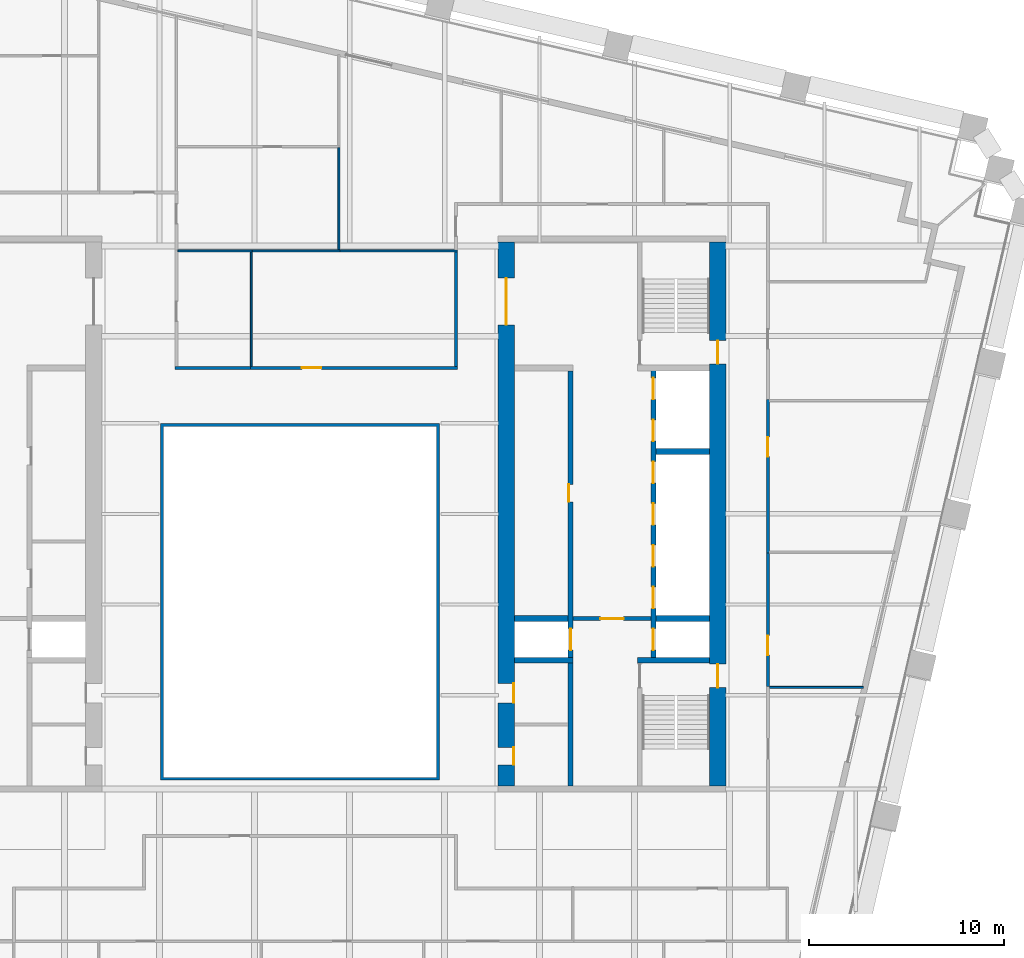
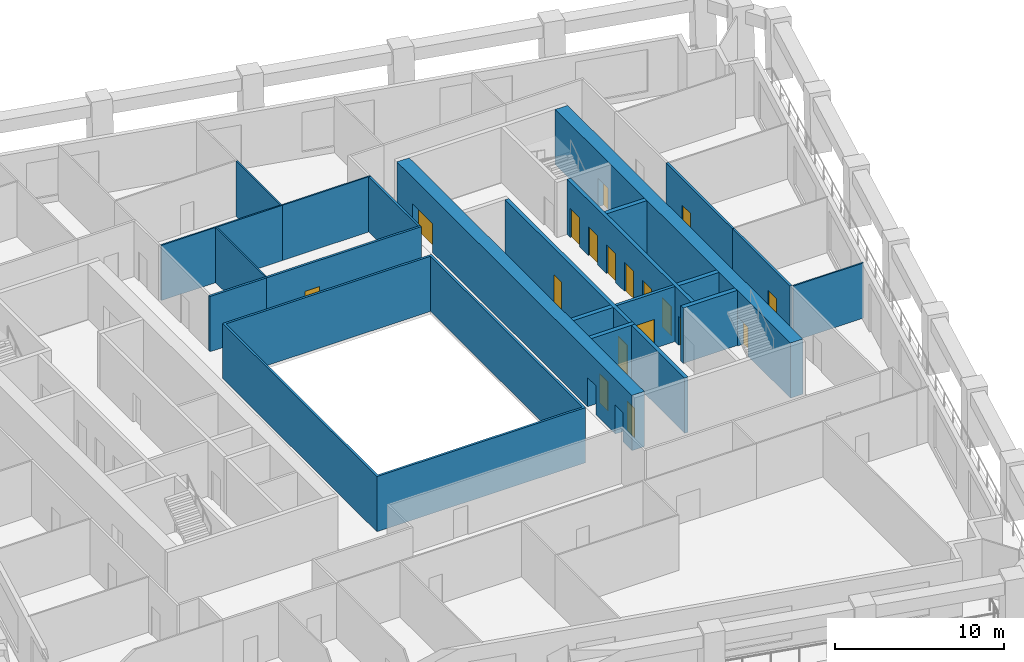
# One storey, part 7 of 11: 22 walls, 18 doors, 18 openings.
"""IFC4 building model written with IfcOpenShell, lengths in metres."""

from ifc_helpers import new_model, si_unit, direction, frame, frame_2d, origin, place, context, subcontext, project, spatial, polyline, rectangle, outline, extrude, material, layer, layer_set, type_object, element, fill, save


model = new_model("IFC4")

# Units and contexts
model_context = context("Model", 3, precision=1e-05, world=origin(), true_north=direction((0.0, 1.0)))
body_context = subcontext(model_context, "Body", "Model", "MODEL_VIEW")
ifc_project = project(units=[si_unit("LENGTHUNIT", "METRE"), si_unit("AREAUNIT", "SQUARE_METRE"), si_unit("VOLUMEUNIT", "CUBIC_METRE"), si_unit("PLANEANGLEUNIT", "RADIAN"), si_unit("MASSUNIT", "GRAM", prefix="KILO")], contexts=[model_context])

# Site, building, storey
site_placement = place(None, origin())
site = spatial("IfcSite", under=ifc_project, at=site_placement, CompositionType="ELEMENT")
building_placement = place(site_placement, origin())
building = spatial("IfcBuilding", under=site, at=building_placement, Name="Ogive Exchange Tower", CompositionType="ELEMENT")
storey_placement = place(building_placement, frame((0.0, 0.0, 109.800048828125)))
storey = spatial("IfcBuildingStorey", under=building, at=storey_placement, Name="L23", CompositionType="ELEMENT", Elevation=109.800048828125)

# Wall
ifc_material_1 = material(Name="Fire partition EI 60 150")
ifc_layer_1 = layer(ifc_material_1, 0.14990234375)
ifc_layer_set_1 = layer_set([ifc_layer_1], Name="Fire partition EI 60 150")
wall_type_1 = type_object("IfcWallType", Name="Fire partition EI 60 150", PredefinedType="PARTITIONING", material=ifc_layer_set_1)
wall_1_placement = place(storey_placement, frame((-6.4150390625, 19.0, 0.0), z_axis=(0.0, 0.0, 1.0), x_axis=(1.0, 0.0, 0.0)))
element("IfcWall", 1, at=wall_1_placement, inside=storey, type_object=wall_type_1, Name="L23-PWL-032", PredefinedType="PARTITIONING", context=body_context, shape_type="SweptSolid", body=[
    extrude(rectangle(XDim=3.864990234375, YDim=0.14990234375, at=frame_2d((1.9326171875, 0.0))), origin(), (0.0, 0.0, 1.0), 4.0),
])

# Wall, opening, door
wall_2_placement = place(storey_placement, frame((-2.550048828125, 19.0, 0.0), z_axis=(0.0, 0.0, 1.0), x_axis=(1.0, 0.0, 0.0)))
wall_2 = element("IfcWall", 2, at=wall_2_placement, inside=storey, type_object=wall_type_1, Name="L23-PWL-039", PredefinedType="PARTITIONING", context=body_context, shape_type="SweptSolid", body=[
    extrude(rectangle(XDim=10.625, YDim=0.14990234375, at=frame_2d((5.3125, 0.0))), origin(), (0.0, 0.0, 1.0), 4.0),
])
opening_1_placement = place(wall_2_placement, frame((2.64990234375, 0.0, 0.0)))
opening_1 = element("IfcOpeningElement", 3, at=opening_1_placement, cuts=wall_2, Name="Opening L23-I06", PredefinedType="OPENING", context=body_context, shape_type="SweptSolid", body=[
    extrude(rectangle(XDim=1.0, YDim=2.10009765625, at=frame_2d((0.5, 1.050048828125))), frame((0.0, 0.0849609375, 0.0), z_axis=(0.0, -1.0, 0.0), x_axis=(1.0, 0.0, 0.0)), (0.0, 0.0, 1.0), 0.169921875),
])
ifc_material_2 = material(Name="Fire door FD 30S 1000 x 2100")
door_type_1 = type_object("IfcDoorType", Name="Fire door FD 30S 1000 x 2100", OperationType="NOTDEFINED", PredefinedType="DOOR", material=ifc_material_2)
door_1_placement = place(opening_1_placement, origin())
door_1 = element("IfcDoor", 4, at=door_1_placement, inside=storey, type_object=door_type_1, Name="L23-IDR-006", ObjectType="DT3", OperationType="SINGLE_SWING_RIGHT", OverallHeight=2.10009765625, OverallWidth=1.0, PredefinedType="DOOR", context=body_context, shape_type="SweptSolid", body=[
    extrude(rectangle(XDim=1.0, YDim=2.10009765625, at=frame_2d((0.5, 1.050048828125))), frame((0.0, 0.02490234375, 0.0), z_axis=(0.0, -1.0, 0.0), x_axis=(1.0, 0.0, 0.0)), (0.0, 0.0, 1.0), 0.050048828125),
])
fill(opening_1, door_1)

# Wall
wall_3_placement = place(storey_placement, frame((8.0, 19.074951171875, 0.0), z_axis=(0.0, 0.0, 1.0), x_axis=(0.0, 1.0, 0.0)))
element("IfcWall", 5, at=wall_3_placement, inside=storey, type_object=wall_type_1, Name="L23-PWL-053", PredefinedType="PARTITIONING", context=body_context, shape_type="SweptSolid", body=[
    extrude(rectangle(XDim=5.875, YDim=0.14990234375, at=frame_2d((2.9375, 0.0))), origin(), (0.0, 0.0, 1.0), 4.0),
])

# Wall, opening, door
wall_4_placement = place(storey_placement, frame((24.0, 9.5, 0.0), z_axis=(0.0, 0.0, 1.0), x_axis=(0.0, -1.0, 0.0)))
wall_4 = element("IfcWall", 6, at=wall_4_placement, inside=storey, type_object=wall_type_1, Name="L23-PWL-066", PredefinedType="PARTITIONING", context=body_context, shape_type="SweptSolid", body=[
    extrude(rectangle(XDim=6.840087890625, YDim=0.14990234375, at=frame_2d((3.419921875, 0.0))), origin(), (0.0, 0.0, 1.0), 4.0),
])
opening_2_placement = place(wall_4_placement, frame((4.239990234375, 0.0, 0.0)))
opening_2 = element("IfcOpeningElement", 7, at=opening_2_placement, cuts=wall_4, Name="Opening L23-I15", PredefinedType="OPENING", context=body_context, shape_type="SweptSolid", body=[
    extrude(rectangle(XDim=1.0, YDim=2.10009765625, at=frame_2d((0.5, 1.050048828125))), frame((0.0, 0.0849609375, 0.0), z_axis=(0.0, -1.0, 0.0), x_axis=(1.0, 0.0, 0.0)), (0.0, 0.0, 1.0), 0.169921875),
])
door_2_placement = place(opening_2_placement, origin())
door_2 = element("IfcDoor", 8, at=door_2_placement, inside=storey, type_object=door_type_1, Name="L23-IDR-015", ObjectType="DT3", OperationType="SINGLE_SWING_LEFT", OverallHeight=2.10009765625, OverallWidth=1.0, PredefinedType="DOOR", context=body_context, shape_type="SweptSolid", body=[
    extrude(rectangle(XDim=1.0, YDim=2.10009765625, at=frame_2d((0.5, 1.050048828125))), frame((0.0, 0.02490234375, 0.0), z_axis=(0.0, -1.0, 0.0), x_axis=(1.0, 0.0, 0.0)), (0.0, 0.0, 1.0), 0.050048828125),
])
fill(opening_2, door_2)

wall_5_placement = place(storey_placement, frame((24.0, 17.3701171875, 0.0), z_axis=(0.0, 0.0, 1.0), x_axis=(0.0, -1.0, 0.0)))
wall_5 = element("IfcWall", 9, at=wall_5_placement, inside=storey, type_object=wall_type_1, Name="L23-PWL-067", PredefinedType="PARTITIONING", context=body_context, shape_type="SweptSolid", body=[
    extrude(rectangle(XDim=7.8701171875, YDim=0.14990234375, at=frame_2d((3.93505859375, 0.0))), origin(), (0.0, 0.0, 1.0), 4.0),
])
opening_3_placement = place(wall_5_placement, frame((1.919921875, 0.0, 0.0)))
opening_3 = element("IfcOpeningElement", 10, at=opening_3_placement, cuts=wall_5, Name="Opening L23-I01", PredefinedType="OPENING", context=body_context, shape_type="SweptSolid", body=[
    extrude(rectangle(XDim=1.0, YDim=2.10009765625, at=frame_2d((0.5, 1.050048828125))), frame((0.0, 0.0849609375, 0.0), z_axis=(0.0, -1.0, 0.0), x_axis=(1.0, 0.0, 0.0)), (0.0, 0.0, 1.0), 0.169921875),
])
door_3_placement = place(opening_3_placement, origin())
door_3 = element("IfcDoor", 11, at=door_3_placement, inside=storey, type_object=door_type_1, Name="L23-IDR-001", ObjectType="DT3", OperationType="SINGLE_SWING_RIGHT", OverallHeight=2.10009765625, OverallWidth=1.0, PredefinedType="DOOR", context=body_context, shape_type="SweptSolid", body=[
    extrude(rectangle(XDim=1.0, YDim=2.10009765625, at=frame_2d((0.5, 1.050048828125))), frame((0.0, 0.02490234375, 0.0), z_axis=(0.0, -1.0, 0.0), x_axis=(1.0, 0.0, 0.0)), (0.0, 0.0, 1.0), 0.050048828125),
])
fill(opening_3, door_3)

# Walls
ifc_material_3 = material(Name="Fire-resisting glass in steel frame", Category="steel")
ifc_layer_2 = layer(ifc_material_3, 0.14990234375)
ifc_layer_set_2 = layer_set([ifc_layer_2], Name="Fire-rated glazed wall 150")
wall_type_2 = type_object("IfcWallType", Name="Fire-rated glazed wall 150", PredefinedType="STANDARD", material=ifc_layer_set_2)
wall_6_placement = place(storey_placement, origin())
element("IfcWall", 12, at=wall_6_placement, inside=storey, type_object=wall_type_2, Name="Nave enclosure wall", PredefinedType="STANDARD", context=body_context, shape_type="SweptSolid", body=[
    extrude(outline(polyline([(-7.14990234375, -2.14990234375), (7.14990234375, -2.14990234375), (7.14990234375, 16.14990234375), (-7.14990234375, 16.14990234375), (-7.14990234375, -2.14990234375)]), holes=[polyline([(-7.0, -2.0), (-7.0, 16.0), (7.0, 16.0), (7.0, -2.0), (-7.0, -2.0)])]), origin(), (0.0, 0.0, 1.0), 4.0),
])
ifc_material_4 = material(Name="Partition 100 gypsum")
ifc_layer_3 = layer(ifc_material_4, 0.10009765625)
ifc_layer_set_3 = layer_set([ifc_layer_3], Name="Partition 100 gypsum")
wall_type_3 = type_object("IfcWallType", Name="Partition 100 gypsum", PredefinedType="PARTITIONING", material=ifc_layer_set_3)
wall_7_placement = place(storey_placement, frame((-6.264892578125, 25.0, 0.0), z_axis=(0.0, 0.0, 1.0), x_axis=(1.0, 0.0, 0.0)))
element("IfcWall", 13, at=wall_7_placement, inside=storey, type_object=wall_type_3, Name="L23-PWL-034", PredefinedType="PARTITIONING", context=body_context, shape_type="SweptSolid", body=[
    extrude(rectangle(XDim=3.81494140625, YDim=0.10009765625, at=frame_2d((1.907470703125, 0.0))), origin(), (0.0, 0.0, 1.0), 4.0),
])
wall_8_placement = place(storey_placement, frame((-2.5, 24.949951171875, 0.0), z_axis=(0.0, 0.0, 1.0), x_axis=(0.0, -1.0, 0.0)))
element("IfcWall", 14, at=wall_8_placement, inside=storey, type_object=wall_type_3, Name="L23-PWL-040", PredefinedType="PARTITIONING", context=body_context, shape_type="SweptSolid", body=[
    extrude(rectangle(XDim=5.875, YDim=0.10009765625, at=frame_2d((2.9375, 0.0))), origin(), (0.0, 0.0, 1.0), 4.0),
])
wall_9_placement = place(storey_placement, frame((-2.5, 25.0, 0.0), z_axis=(0.0, 0.0, 1.0), x_axis=(1.0, 0.0, 0.0)))
element("IfcWall", 15, at=wall_9_placement, inside=storey, type_object=wall_type_3, Name="L23-PWL-041", PredefinedType="PARTITIONING", context=body_context, shape_type="SweptSolid", body=[
    extrude(rectangle(XDim=4.5400390625, YDim=0.10009765625, at=frame_2d((2.27001953125, 0.0))), origin(), (0.0, 0.0, 1.0), 4.0),
])
wall_10_placement = place(storey_placement, frame((1.989990234375, 25.050048828125, 0.0), z_axis=(0.0, 0.0, 1.0), x_axis=(0.0, 1.0, 0.0)))
element("IfcWall", 16, at=wall_10_placement, inside=storey, type_object=wall_type_3, Name="L23-PWL-046", PredefinedType="PARTITIONING", context=body_context, shape_type="SweptSolid", body=[
    extrude(rectangle(XDim=5.239990234375, YDim=0.10009765625, at=frame_2d((2.6201171875, 0.0))), origin(), (0.0, 0.0, 1.0), 4.0),
])
wall_11_placement = place(storey_placement, frame((1.989990234375, 25.0, 0.0), z_axis=(0.0, 0.0, 1.0), x_axis=(1.0, 0.0, 0.0)))
element("IfcWall", 17, at=wall_11_placement, inside=storey, type_object=wall_type_3, Name="L23-PWL-047", PredefinedType="PARTITIONING", context=body_context, shape_type="SweptSolid", body=[
    extrude(rectangle(XDim=6.0849609375, YDim=0.10009765625, at=frame_2d((3.04248046875, 0.0))), origin(), (0.0, 0.0, 1.0), 4.0),
])
wall_12_placement = place(storey_placement, frame((28.89599609375, 2.610107421875, 0.0), z_axis=(0.0, 0.0, 1.0), x_axis=(-1.0, 0.0, 0.0)))
element("IfcWall", 18, at=wall_12_placement, inside=storey, type_object=wall_type_3, Name="L23-PWL-077", PredefinedType="PARTITIONING", context=body_context, shape_type="SweptSolid", body=[
    extrude(rectangle(XDim=4.81103515625, YDim=0.10009765625, at=frame_2d((2.405517578125, 0.0))), origin(), (0.0, 0.0, 1.0), 4.0),
])

# Wall, opening, door
ifc_material_5 = material(Name="Concrete C70/85", Category="concrete")
ifc_layer_4 = layer(ifc_material_5, 0.199951171875)
ifc_layer_set_4 = layer_set([ifc_layer_4], Name="RC core wall 200 C70/85")
wall_type_4 = type_object("IfcWallType", Name="RC core wall 200 C70/85", PredefinedType="SHEAR", material=ifc_layer_set_4)
wall_13_placement = place(storey_placement, frame((14.0, 6.142822265625, 0.0), z_axis=(0.0, 0.0, 1.0), x_axis=(1.0, 0.0, 0.0)))
wall_13 = element("IfcWall", 19, at=wall_13_placement, inside=storey, type_object=wall_type_4, Name="E firefighting lobby wall", PredefinedType="SHEAR", context=body_context, shape_type="SweptSolid", body=[
    extrude(rectangle(XDim=4.0, YDim=0.199951171875, at=frame_2d((2.0, 0.0))), origin(), (0.0, 0.0, 1.0), 4.0),
])
opening_4_placement = place(wall_13_placement, frame((1.39990234375, 0.0, 0.0)))
opening_4 = element("IfcOpeningElement", 20, at=opening_4_placement, cuts=wall_13, Name="Opening L23-C28", PredefinedType="OPENING", context=body_context, shape_type="SweptSolid", body=[
    extrude(rectangle(XDim=1.199951171875, YDim=2.10009765625, at=frame_2d((0.60009765625, 1.050048828125))), frame((0.0, 0.10986328125, 0.0), z_axis=(0.0, -1.0, 0.0), x_axis=(1.0, 0.0, 0.0)), (0.0, 0.0, 1.0), 0.219970703125),
])
ifc_material_6 = material(Name="Steel fire door", Category="steel")
door_type_2 = type_object("IfcDoorType", Name="Firefighting lobby door FD60 1200 x 2100", OperationType="NOTDEFINED", PredefinedType="DOOR", material=ifc_material_6)
door_4_placement = place(opening_4_placement, frame((1.199951171875, 0.0, 0.0), z_axis=(0.0, 0.0, 1.0), x_axis=(-1.0, 0.0, 0.0)))
door_4 = element("IfcDoor", 21, at=door_4_placement, inside=storey, type_object=door_type_2, Name="Firefighting lobby door", ObjectType="CD3", OperationType="SINGLE_SWING_LEFT", OverallHeight=2.10009765625, OverallWidth=1.199951171875, PredefinedType="DOOR", context=body_context, shape_type="SweptSolid", body=[
    extrude(rectangle(XDim=1.199951171875, YDim=2.10009765625, at=frame_2d((0.60009765625, 1.050048828125))), frame((0.0, 0.02490234375, 0.0), z_axis=(0.0, -1.0, 0.0), x_axis=(1.0, 0.0, 0.0)), (0.0, 0.0, 1.0), 0.050048828125),
])
fill(opening_4, door_4)

# Wall, openings, doors
ifc_layer_5 = layer(ifc_material_5, 0.25)
ifc_layer_set_5 = layer_set([ifc_layer_5], Name="RC core wall 250 C70/85")
wall_type_5 = type_object("IfcWallType", Name="RC core wall 250 C70/85", PredefinedType="SHEAR", material=ifc_layer_set_5)
wall_14_placement = place(storey_placement, frame((18.125, 4.14990234375, 0.0), z_axis=(0.0, 0.0, 1.0), x_axis=(0.0, 1.0, 0.0)))
wall_14 = element("IfcWall", 22, at=wall_14_placement, inside=storey, type_object=wall_type_5, Name="E row A front wall", PredefinedType="SHEAR", context=body_context, shape_type="SweptSolid", body=[
    extrude(rectangle(XDim=14.7001953125, YDim=0.25, at=frame_2d((7.35009765625, 0.0))), origin(), (0.0, 0.0, 1.0), 4.0),
])
opening_5_placement = place(wall_14_placement, frame((0.371337890625, 0.0, 0.0)))
opening_5 = element("IfcOpeningElement", 23, at=opening_5_placement, cuts=wall_14, Name="Opening L23-C19", PredefinedType="OPENING", context=body_context, shape_type="SweptSolid", body=[
    extrude(rectangle(XDim=1.10009765625, YDim=2.10009765625, at=frame_2d((0.550048828125, 1.050048828125))), frame((0.0, 0.135009765625, 0.0), z_axis=(0.0, -1.0, 0.0), x_axis=(1.0, 0.0, 0.0)), (0.0, 0.0, 1.0), 0.27001953125),
])
opening_6_placement = place(wall_14_placement, frame((2.514404296875, 0.0, 0.0)))
opening_6 = element("IfcOpeningElement", 24, at=opening_6_placement, cuts=wall_14, Name="Opening L23-C20", PredefinedType="OPENING", context=body_context, shape_type="SweptSolid", body=[
    extrude(rectangle(XDim=1.10009765625, YDim=2.10009765625, at=frame_2d((0.550048828125, 1.050048828125))), frame((0.0, 0.135009765625, 0.0), z_axis=(0.0, -1.0, 0.0), x_axis=(1.0, 0.0, 0.0)), (0.0, 0.0, 1.0), 0.27001953125),
])
opening_7_placement = place(wall_14_placement, frame((4.656982421875, 0.0, 0.0)))
opening_7 = element("IfcOpeningElement", 25, at=opening_7_placement, cuts=wall_14, Name="Opening L23-C21", PredefinedType="OPENING", context=body_context, shape_type="SweptSolid", body=[
    extrude(rectangle(XDim=1.10009765625, YDim=2.10009765625, at=frame_2d((0.550048828125, 1.050048828125))), frame((0.0, 0.135009765625, 0.0), z_axis=(0.0, -1.0, 0.0), x_axis=(1.0, 0.0, 0.0)), (0.0, 0.0, 1.0), 0.27001953125),
])
opening_8_placement = place(wall_14_placement, frame((6.800048828125, 0.0, 0.0)))
opening_8 = element("IfcOpeningElement", 26, at=opening_8_placement, cuts=wall_14, Name="Opening L23-C22", PredefinedType="OPENING", context=body_context, shape_type="SweptSolid", body=[
    extrude(rectangle(XDim=1.10009765625, YDim=2.10009765625, at=frame_2d((0.550048828125, 1.050048828125))), frame((0.0, 0.135009765625, 0.0), z_axis=(0.0, -1.0, 0.0), x_axis=(1.0, 0.0, 0.0)), (0.0, 0.0, 1.0), 0.27001953125),
])
opening_9_placement = place(wall_14_placement, frame((8.94287109375, 0.0, 0.0)))
opening_9 = element("IfcOpeningElement", 27, at=opening_9_placement, cuts=wall_14, Name="Opening L23-C23", PredefinedType="OPENING", context=body_context, shape_type="SweptSolid", body=[
    extrude(rectangle(XDim=1.10009765625, YDim=2.10009765625, at=frame_2d((0.550048828125, 1.050048828125))), frame((0.0, 0.135009765625, 0.0), z_axis=(0.0, -1.0, 0.0), x_axis=(1.0, 0.0, 0.0)), (0.0, 0.0, 1.0), 0.27001953125),
])
opening_10_placement = place(wall_14_placement, frame((11.085693359375, 0.0, 0.0)))
opening_10 = element("IfcOpeningElement", 28, at=opening_10_placement, cuts=wall_14, Name="Opening L23-C24", PredefinedType="OPENING", context=body_context, shape_type="SweptSolid", body=[
    extrude(rectangle(XDim=1.10009765625, YDim=2.10009765625, at=frame_2d((0.550048828125, 1.050048828125))), frame((0.0, 0.135009765625, 0.0), z_axis=(0.0, -1.0, 0.0), x_axis=(1.0, 0.0, 0.0)), (0.0, 0.0, 1.0), 0.27001953125),
])
opening_11_placement = place(wall_14_placement, frame((13.228515625, 0.0, 0.0)))
opening_11 = element("IfcOpeningElement", 29, at=opening_11_placement, cuts=wall_14, Name="Opening L23-C25", PredefinedType="OPENING", context=body_context, shape_type="SweptSolid", body=[
    extrude(rectangle(XDim=1.10009765625, YDim=2.10009765625, at=frame_2d((0.550048828125, 1.050048828125))), frame((0.0, 0.135009765625, 0.0), z_axis=(0.0, -1.0, 0.0), x_axis=(1.0, 0.0, 0.0)), (0.0, 0.0, 1.0), 0.27001953125),
])
ifc_material_7 = material(Name="Stainless steel", Category="steel")
door_type_3 = type_object("IfcDoorType", Name="Lift landing door FD90 1100 x 2100", OperationType="SLIDING_TO_LEFT", PredefinedType="DOOR", material=ifc_material_7)
door_5_placement = place(opening_5_placement, origin())
door_5 = element("IfcDoor", 30, at=door_5_placement, inside=storey, type_object=door_type_3, Name="Lift landing door FF2", ObjectType="LD", OperationType="SLIDING_TO_LEFT", OverallHeight=2.10009765625, OverallWidth=1.10009765625, PredefinedType="DOOR", context=body_context, shape_type="SweptSolid", body=[
    extrude(rectangle(XDim=1.10009765625, YDim=2.10009765625, at=frame_2d((0.550048828125, 1.050048828125))), frame((0.0, 0.02490234375, 0.0), z_axis=(0.0, -1.0, 0.0), x_axis=(1.0, 0.0, 0.0)), (0.0, 0.0, 1.0), 0.050048828125),
])
fill(opening_5, door_5)
door_6_placement = place(opening_6_placement, origin())
door_6 = element("IfcDoor", 31, at=door_6_placement, inside=storey, type_object=door_type_3, Name="Lift landing door E-L1", ObjectType="LD", OperationType="SLIDING_TO_LEFT", OverallHeight=2.10009765625, OverallWidth=1.10009765625, PredefinedType="DOOR", context=body_context, shape_type="SweptSolid", body=[
    extrude(rectangle(XDim=1.10009765625, YDim=2.10009765625, at=frame_2d((0.550048828125, 1.050048828125))), frame((0.0, 0.02490234375, 0.0), z_axis=(0.0, -1.0, 0.0), x_axis=(1.0, 0.0, 0.0)), (0.0, 0.0, 1.0), 0.050048828125),
])
fill(opening_6, door_6)
door_7_placement = place(opening_7_placement, origin())
door_7 = element("IfcDoor", 32, at=door_7_placement, inside=storey, type_object=door_type_3, Name="Lift landing door E-L2", ObjectType="LD", OperationType="SLIDING_TO_LEFT", OverallHeight=2.10009765625, OverallWidth=1.10009765625, PredefinedType="DOOR", context=body_context, shape_type="SweptSolid", body=[
    extrude(rectangle(XDim=1.10009765625, YDim=2.10009765625, at=frame_2d((0.550048828125, 1.050048828125))), frame((0.0, 0.02490234375, 0.0), z_axis=(0.0, -1.0, 0.0), x_axis=(1.0, 0.0, 0.0)), (0.0, 0.0, 1.0), 0.050048828125),
])
fill(opening_7, door_7)
door_8_placement = place(opening_8_placement, origin())
door_8 = element("IfcDoor", 33, at=door_8_placement, inside=storey, type_object=door_type_3, Name="Lift landing door E-L3", ObjectType="LD", OperationType="SLIDING_TO_LEFT", OverallHeight=2.10009765625, OverallWidth=1.10009765625, PredefinedType="DOOR", context=body_context, shape_type="SweptSolid", body=[
    extrude(rectangle(XDim=1.10009765625, YDim=2.10009765625, at=frame_2d((0.550048828125, 1.050048828125))), frame((0.0, 0.02490234375, 0.0), z_axis=(0.0, -1.0, 0.0), x_axis=(1.0, 0.0, 0.0)), (0.0, 0.0, 1.0), 0.050048828125),
])
fill(opening_8, door_8)
door_9_placement = place(opening_9_placement, origin())
door_9 = element("IfcDoor", 34, at=door_9_placement, inside=storey, type_object=door_type_3, Name="Lift landing door E-L4", ObjectType="LD", OperationType="SLIDING_TO_LEFT", OverallHeight=2.10009765625, OverallWidth=1.10009765625, PredefinedType="DOOR", context=body_context, shape_type="SweptSolid", body=[
    extrude(rectangle(XDim=1.10009765625, YDim=2.10009765625, at=frame_2d((0.550048828125, 1.050048828125))), frame((0.0, 0.02490234375, 0.0), z_axis=(0.0, -1.0, 0.0), x_axis=(1.0, 0.0, 0.0)), (0.0, 0.0, 1.0), 0.050048828125),
])
fill(opening_9, door_9)
door_10_placement = place(opening_10_placement, origin())
door_10 = element("IfcDoor", 35, at=door_10_placement, inside=storey, type_object=door_type_3, Name="Lift landing door E-SH1", ObjectType="LD", OperationType="SLIDING_TO_LEFT", OverallHeight=2.10009765625, OverallWidth=1.10009765625, PredefinedType="DOOR", context=body_context, shape_type="SweptSolid", body=[
    extrude(rectangle(XDim=1.10009765625, YDim=2.10009765625, at=frame_2d((0.550048828125, 1.050048828125))), frame((0.0, 0.02490234375, 0.0), z_axis=(0.0, -1.0, 0.0), x_axis=(1.0, 0.0, 0.0)), (0.0, 0.0, 1.0), 0.050048828125),
])
fill(opening_10, door_10)
door_11_placement = place(opening_11_placement, origin())
door_11 = element("IfcDoor", 36, at=door_11_placement, inside=storey, type_object=door_type_3, Name="Lift landing door E-SH2", ObjectType="LD", OperationType="SLIDING_TO_LEFT", OverallHeight=2.10009765625, OverallWidth=1.10009765625, PredefinedType="DOOR", context=body_context, shape_type="SweptSolid", body=[
    extrude(rectangle(XDim=1.10009765625, YDim=2.10009765625, at=frame_2d((0.550048828125, 1.050048828125))), frame((0.0, 0.02490234375, 0.0), z_axis=(0.0, -1.0, 0.0), x_axis=(1.0, 0.0, 0.0)), (0.0, 0.0, 1.0), 0.050048828125),
])
fill(opening_11, door_11)

wall_15_placement = place(storey_placement, frame((13.875, -2.449951171875, 0.0), z_axis=(0.0, 0.0, 1.0), x_axis=(0.0, 1.0, 0.0)))
wall_15 = element("IfcWall", 37, at=wall_15_placement, inside=storey, type_object=wall_type_5, Name="E row B front wall", PredefinedType="SHEAR", context=body_context, shape_type="SweptSolid", body=[
    extrude(rectangle(XDim=21.300048828125, YDim=0.25, at=frame_2d((10.64990234375, 0.0))), origin(), (0.0, 0.0, 1.0), 4.0),
])
opening_12_placement = place(wall_15_placement, frame((14.5712890625, 0.0, 0.0)))
opening_12 = element("IfcOpeningElement", 38, at=opening_12_placement, cuts=wall_15, Name="Opening L23-C26", PredefinedType="OPENING", context=body_context, shape_type="SweptSolid", body=[
    extrude(rectangle(XDim=0.89990234375, YDim=2.10009765625, at=frame_2d((0.449951171875, 1.050048828125))), frame((0.0, 0.135009765625, 0.0), z_axis=(0.0, -1.0, 0.0), x_axis=(1.0, 0.0, 0.0)), (0.0, 0.0, 1.0), 0.27001953125),
])
opening_13_placement = place(wall_15_placement, frame((6.971435546875, 0.0, 0.0)))
opening_13 = element("IfcOpeningElement", 39, at=opening_13_placement, cuts=wall_15, Name="Opening L23-C27", PredefinedType="OPENING", context=body_context, shape_type="SweptSolid", body=[
    extrude(rectangle(XDim=1.10009765625, YDim=2.10009765625, at=frame_2d((0.550048828125, 1.050048828125))), frame((0.0, 0.135009765625, 0.0), z_axis=(0.0, -1.0, 0.0), x_axis=(1.0, 0.0, 0.0)), (0.0, 0.0, 1.0), 0.27001953125),
])
door_12_placement = place(opening_13_placement, origin())
door_12 = element("IfcDoor", 40, at=door_12_placement, inside=storey, type_object=door_type_3, Name="Lift landing door SV2", ObjectType="LD", OperationType="SLIDING_TO_LEFT", OverallHeight=2.10009765625, OverallWidth=1.10009765625, PredefinedType="DOOR", context=body_context, shape_type="SweptSolid", body=[
    extrude(rectangle(XDim=1.10009765625, YDim=2.10009765625, at=frame_2d((0.550048828125, 1.050048828125))), frame((0.0, 0.02490234375, 0.0), z_axis=(0.0, -1.0, 0.0), x_axis=(1.0, 0.0, 0.0)), (0.0, 0.0, 1.0), 0.050048828125),
])
fill(opening_13, door_12)
door_type_4 = type_object("IfcDoorType", Name="Riser door FD60 900 x 2100", OperationType="NOTDEFINED", PredefinedType="DOOR", material=ifc_material_6)
door_13_placement = place(opening_12_placement, origin())
door_13 = element("IfcDoor", 41, at=door_13_placement, inside=storey, type_object=door_type_4, Name="Riser door", ObjectType="CD2", OperationType="SINGLE_SWING_LEFT", OverallHeight=2.10009765625, OverallWidth=0.89990234375, PredefinedType="DOOR", context=body_context, shape_type="SweptSolid", body=[
    extrude(rectangle(XDim=0.89990234375, YDim=2.10009765625, at=frame_2d((0.449951171875, 1.050048828125))), frame((0.0, 0.125, 0.0), z_axis=(0.0, -1.0, 0.0), x_axis=(1.0, 0.0, 0.0)), (0.0, 0.0, 1.0), 0.050048828125),
])
fill(opening_12, door_13)

# Walls
ifc_layer_6 = layer(ifc_material_5, 0.300048828125)
ifc_layer_set_6 = layer_set([ifc_layer_6], Name="RC core wall 300 C70/85")
wall_type_6 = type_object("IfcWallType", Name="RC core wall 300 C70/85", PredefinedType="SHEAR", material=ifc_layer_set_6)
wall_16_placement = place(storey_placement, frame((17.300048828125, 4.0, 0.0), z_axis=(0.0, 0.0, 1.0), x_axis=(1.0, 0.0, 0.0)))
element("IfcWall", 42, at=wall_16_placement, inside=storey, type_object=wall_type_6, Name="E stair S north wall", PredefinedType="SHEAR", context=body_context, shape_type="SweptSolid", body=[
    extrude(rectangle(XDim=3.699951171875, YDim=0.300048828125, at=frame_2d((1.85009765625, 0.0))), origin(), (0.0, 0.0, 1.0), 4.0),
])
for number, where, z_axis, x_axis, name in (
    (43, (18.25, 6.142822265625, 0.0), (0.0, 0.0, 1.0), (1.0, 0.0, 0.0), "E row A divider 1"),
    (44, (18.25, 14.71435546875, 0.0), (0.0, 0.0, 1.0), (1.0, 0.0, 0.0), "E row A divider 5"),
):
    element("IfcWall", number, at=place(storey_placement, frame(where, z_axis=z_axis, x_axis=x_axis)), inside=storey, type_object=wall_type_6, Name=name, PredefinedType="SHEAR", context=body_context, shape_type="SweptSolid", body=[
        extrude(rectangle(XDim=2.75, YDim=0.300048828125, at=frame_2d((1.375, 0.0))), origin(), (0.0, 0.0, 1.0), 4.0),
    ])
wall_17_placement = place(storey_placement, frame((11.0, 4.0, 0.0), z_axis=(0.0, 0.0, 1.0), x_axis=(1.0, 0.0, 0.0)))
element("IfcWall", 45, at=wall_17_placement, inside=storey, type_object=wall_type_6, Name="E row B divider 0", PredefinedType="SHEAR", context=body_context, shape_type="SweptSolid", body=[
    extrude(rectangle(XDim=3.0, YDim=0.300048828125, at=frame_2d((1.5, 0.0))), origin(), (0.0, 0.0, 1.0), 4.0),
])
wall_18_placement = place(storey_placement, frame((11.0, 6.142822265625, 0.0), z_axis=(0.0, 0.0, 1.0), x_axis=(1.0, 0.0, 0.0)))
element("IfcWall", 46, at=wall_18_placement, inside=storey, type_object=wall_type_6, Name="E row B divider 1", PredefinedType="SHEAR", context=body_context, shape_type="SweptSolid", body=[
    extrude(rectangle(XDim=2.75, YDim=0.300048828125, at=frame_2d((1.375, 0.0))), origin(), (0.0, 0.0, 1.0), 4.0),
])

# Wall, openings, doors
ifc_layer_7 = layer(ifc_material_5, 0.85009765625)
ifc_layer_set_7 = layer_set([ifc_layer_7], Name="RC core wall 850 C70/85")
wall_type_7 = type_object("IfcWallType", Name="RC core wall 850 C70/85", PredefinedType="SHEAR", material=ifc_layer_set_7)
wall_19_placement = place(storey_placement, frame((21.425048828125, -2.449951171875, 0.0), z_axis=(0.0, 0.0, 1.0), x_axis=(0.0, 1.0, 0.0)))
wall_19 = element("IfcWall", 47, at=wall_19_placement, inside=storey, type_object=wall_type_7, Name="E outer wall", PredefinedType="SHEAR", context=body_context, shape_type="SweptSolid", body=[
    extrude(rectangle(XDim=27.89990234375, YDim=0.85009765625, at=frame_2d((13.949951171875, 0.0))), origin(), (0.0, 0.0, 1.0), 4.0),
])
opening_14_placement = place(wall_19_placement, frame((5.050048828125, 0.0, 0.0)))
opening_14 = element("IfcOpeningElement", 48, at=opening_14_placement, cuts=wall_19, Name="Opening L23-C31", PredefinedType="OPENING", context=body_context, shape_type="SweptSolid", body=[
    extrude(rectangle(XDim=1.199951171875, YDim=2.10009765625, at=frame_2d((0.60009765625, 1.050048828125))), frame((0.0, 0.43505859375, 0.0), z_axis=(0.0, -1.0, 0.0), x_axis=(1.0, 0.0, 0.0)), (0.0, 0.0, 1.0), 0.8701171875),
])
opening_15_placement = place(wall_19_placement, frame((21.64990234375, 0.0, 0.0)))
opening_15 = element("IfcOpeningElement", 49, at=opening_15_placement, cuts=wall_19, Name="Opening L23-C33", PredefinedType="OPENING", context=body_context, shape_type="SweptSolid", body=[
    extrude(rectangle(XDim=1.199951171875, YDim=2.10009765625, at=frame_2d((0.60009765625, 1.050048828125))), frame((0.0, 0.43505859375, 0.0), z_axis=(0.0, -1.0, 0.0), x_axis=(1.0, 0.0, 0.0)), (0.0, 0.0, 1.0), 0.8701171875),
])
door_type_5 = type_object("IfcDoorType", Name="Stair door FD90 1200 x 2100", OperationType="NOTDEFINED", PredefinedType="DOOR", material=ifc_material_6)
door_14_placement = place(opening_14_placement, origin())
door_14 = element("IfcDoor", 50, at=door_14_placement, inside=storey, type_object=door_type_5, Name="Stair door", ObjectType="CD5", OperationType="SINGLE_SWING_LEFT", OverallHeight=2.10009765625, OverallWidth=1.199951171875, PredefinedType="DOOR", context=body_context, shape_type="SweptSolid", body=[
    extrude(rectangle(XDim=1.199951171875, YDim=2.10009765625, at=frame_2d((0.60009765625, 1.050048828125))), frame((0.0, 0.02490234375, 0.0), z_axis=(0.0, -1.0, 0.0), x_axis=(1.0, 0.0, 0.0)), (0.0, 0.0, 1.0), 0.050048828125),
])
fill(opening_14, door_14)
door_15_placement = place(opening_15_placement, origin())
door_15 = element("IfcDoor", 51, at=door_15_placement, inside=storey, type_object=door_type_5, Name="Stair door", ObjectType="CD5", OperationType="SINGLE_SWING_RIGHT", OverallHeight=2.10009765625, OverallWidth=1.199951171875, PredefinedType="DOOR", context=body_context, shape_type="SweptSolid", body=[
    extrude(rectangle(XDim=1.199951171875, YDim=2.10009765625, at=frame_2d((0.60009765625, 1.050048828125))), frame((0.0, 0.02490234375, 0.0), z_axis=(0.0, -1.0, 0.0), x_axis=(1.0, 0.0, 0.0)), (0.0, 0.0, 1.0), 0.050048828125),
])
fill(opening_15, door_15)

wall_20_placement = place(storey_placement, frame((10.574951171875, -2.449951171875, 0.0), z_axis=(0.0, 0.0, 1.0), x_axis=(0.0, 1.0, 0.0)))
wall_20 = element("IfcWall", 52, at=wall_20_placement, inside=storey, type_object=wall_type_7, Name="E inner wall", PredefinedType="SHEAR", context=body_context, shape_type="SweptSolid", body=[
    extrude(rectangle(XDim=27.89990234375, YDim=0.85009765625, at=frame_2d((13.949951171875, 0.0))), origin(), (0.0, 0.0, 1.0), 4.0),
])
opening_16_placement = place(wall_20_placement, frame((23.64990234375, 0.0, 0.0)))
opening_16 = element("IfcOpeningElement", 53, at=opening_16_placement, cuts=wall_20, Name="Opening L23-C29", PredefinedType="OPENING", context=body_context, shape_type="SweptSolid", body=[
    extrude(rectangle(XDim=2.39990234375, YDim=2.10009765625, at=frame_2d((1.199951171875, 1.050048828125))), frame((0.0, 0.43505859375, 0.0), z_axis=(0.0, -1.0, 0.0), x_axis=(1.0, 0.0, 0.0)), (0.0, 0.0, 1.0), 0.8701171875),
])
opening_17_placement = place(wall_20_placement, frame((1.08740234375, 0.0, 0.0)))
opening_17 = element("IfcOpeningElement", 54, at=opening_17_placement, cuts=wall_20, Name="Opening L23-C34", PredefinedType="OPENING", context=body_context, shape_type="SweptSolid", body=[
    extrude(rectangle(XDim=0.89990234375, YDim=2.10009765625, at=frame_2d((0.449951171875, 1.050048828125))), frame((0.0, 0.43505859375, 0.0), z_axis=(0.0, -1.0, 0.0), x_axis=(1.0, 0.0, 0.0)), (0.0, 0.0, 1.0), 0.8701171875),
])
opening_18_placement = place(wall_20_placement, frame((4.262451171875, 0.0, 0.0)))
opening_18 = element("IfcOpeningElement", 55, at=opening_18_placement, cuts=wall_20, Name="Opening L23-C35", PredefinedType="OPENING", context=body_context, shape_type="SweptSolid", body=[
    extrude(rectangle(XDim=1.0, YDim=2.10009765625, at=frame_2d((0.5, 1.050048828125))), frame((0.0, 0.43505859375, 0.0), z_axis=(0.0, -1.0, 0.0), x_axis=(1.0, 0.0, 0.0)), (0.0, 0.0, 1.0), 0.8701171875),
])
ifc_material_8 = material(Name="Timber fire door", Category="wood")
door_type_6 = type_object("IfcDoorType", Name="Accessible WC door FD30S 1000 x 2100", OperationType="NOTDEFINED", PredefinedType="DOOR", material=ifc_material_8)
door_16_placement = place(opening_18_placement, frame((1.0, -0.7998046875, 0.0), z_axis=(0.0, 0.0, 1.0), x_axis=(-1.0, 0.0, 0.0)))
door_16 = element("IfcDoor", 56, at=door_16_placement, inside=storey, type_object=door_type_6, Name="Accessible WC door", ObjectType="CD7", OperationType="SINGLE_SWING_LEFT", OverallHeight=2.10009765625, OverallWidth=1.0, PredefinedType="DOOR", context=body_context, shape_type="SweptSolid", body=[
    extrude(rectangle(XDim=1.0, YDim=2.10009765625, at=frame_2d((0.5, 1.050048828125))), frame((0.0, -0.375, 0.0), z_axis=(0.0, -1.0, 0.0), x_axis=(1.0, 0.0, 0.0)), (0.0, 0.0, 1.0), 0.050048828125),
])
fill(opening_18, door_16)
door_type_7 = type_object("IfcDoorType", Name="Core room door FD30S 900 x 2100", OperationType="NOTDEFINED", PredefinedType="DOOR", material=ifc_material_8)
door_17_placement = place(opening_17_placement, frame((0.89990234375, -0.7998046875, 0.0), z_axis=(0.0, 0.0, 1.0), x_axis=(-1.0, 0.0, 0.0)))
door_17 = element("IfcDoor", 57, at=door_17_placement, inside=storey, type_object=door_type_7, Name="Core room door", ObjectType="CD6", OperationType="SINGLE_SWING_LEFT", OverallHeight=2.10009765625, OverallWidth=0.89990234375, PredefinedType="DOOR", context=body_context, shape_type="SweptSolid", body=[
    extrude(rectangle(XDim=0.89990234375, YDim=2.10009765625, at=frame_2d((0.449951171875, 1.050048828125))), frame((0.0, -0.375, 0.0), z_axis=(0.0, -1.0, 0.0), x_axis=(1.0, 0.0, 0.0)), (0.0, 0.0, 1.0), 0.050048828125),
])
fill(opening_17, door_17)
ifc_material_9 = material(Name="Glazed steel fire door", Category="steel")
door_type_8 = type_object("IfcDoorType", Name="Lift lobby double door FD60 2400 x 2100", OperationType="DOUBLE_DOOR_SINGLE_SWING", PredefinedType="DOOR", material=ifc_material_9)
door_18_placement = place(opening_16_placement, frame((2.39990234375, 0.0, 0.0), z_axis=(0.0, 0.0, 1.0), x_axis=(-1.0, 0.0, 0.0)))
door_18 = element("IfcDoor", 58, at=door_18_placement, inside=storey, type_object=door_type_8, Name="Lift lobby double door", ObjectType="CD4", OperationType="DOUBLE_DOOR_SINGLE_SWING", OverallHeight=2.10009765625, OverallWidth=2.39990234375, PredefinedType="DOOR", context=body_context, shape_type="SweptSolid", body=[
    extrude(rectangle(XDim=2.39990234375, YDim=2.10009765625, at=frame_2d((1.199951171875, 1.050048828125))), frame((0.0, 0.02490234375, 0.0), z_axis=(0.0, -1.0, 0.0), x_axis=(1.0, 0.0, 0.0)), (0.0, 0.0, 1.0), 0.050048828125),
])
fill(opening_16, door_18)

save(model, "model.ifc")
